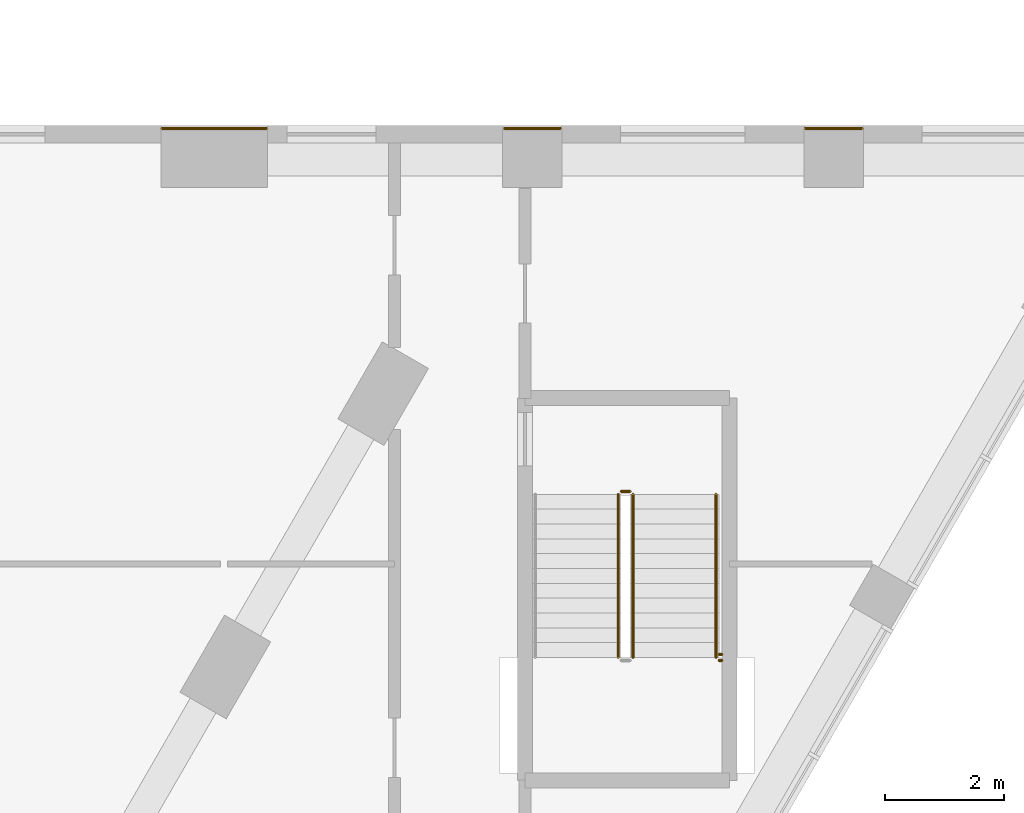
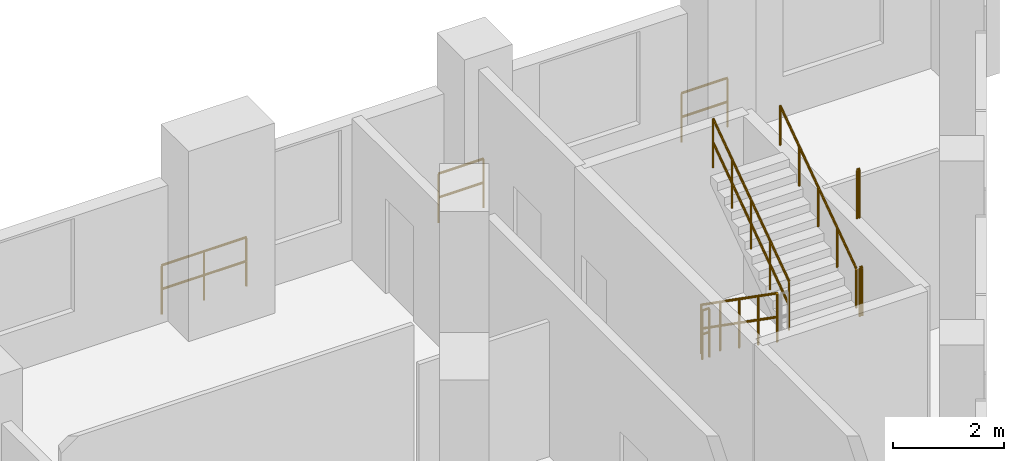
# One storey, part 29 of 33: 9 railings.
"""IFC4 building model written with IfcOpenShell, lengths in metres."""

import ifcopenshell
import ifcopenshell.guid

model = None  # the IFC model being written
_history = None  # IfcOwnerHistory: only IFC2X3 demands one
_inside = {}  # id of a spatial element -> (the spatial element, [elements in it])
_under = {}  # id of a project, library or spatial element -> (it, [spatial elements below it])
_declared = {}  # id of a project -> (the project, [libraries it declares])
_typed = {}  # id of a type object -> (the type object, [elements of that type])
_made_of = {}  # id of a material, layer set ... -> (it, [elements and type objects made of it])


def new_model(schema):
    """Start an empty IFC model of exactly this schema.

    Asked for "IFC4X3", IfcOpenShell would pick the latest addendum, in which some entities
    have other attributes; the version numbers below select the first issue.
    IFC2X3 requires an IfcOwnerHistory on every rooted entity: one is made here for all.
    """
    global model, _history
    if schema == "IFC4X3":
        model = ifcopenshell.file(schema_version=(4, 3, 0, 0))
    else:
        model = ifcopenshell.file(schema=schema)
    _inside.clear()
    _under.clear()
    _declared.clear()
    _typed.clear()
    _made_of.clear()
    _history = None
    if model.schema == "IFC2X3":
        org = make("IfcOrganization", Name="unknown")
        user = make(
            "IfcPersonAndOrganization",
            ThePerson=make("IfcPerson", FamilyName="unknown"),
            TheOrganization=org,
        )
        app = make(
            "IfcApplication",
            ApplicationDeveloper=org,
            Version="unknown",
            ApplicationFullName="unknown",
            ApplicationIdentifier="unknown",
        )
        _history = make(
            "IfcOwnerHistory",
            OwningUser=user,
            OwningApplication=app,
            ChangeAction="ADDED",
            CreationDate=0,
        )
    return model


def make(cls, **values):
    """One entity of the class cls with the attributes given. An attribute that is None is left unset."""
    return model.create_entity(
        cls, **{name: value for name, value in values.items() if value is not None}
    )


def rooted(cls, **values):
    """An entity with a GlobalId (a new one), such as an element, a storey or a relation."""
    return make(cls, GlobalId=ifcopenshell.guid.new(), OwnerHistory=_history, **values)


def si_unit(unit_type, name, prefix=None):
    """IfcSIUnit, for example si_unit("LENGTHUNIT", "METRE", prefix="MILLI")."""
    return make("IfcSIUnit", UnitType=unit_type, Prefix=prefix, Name=name)


def assignment(units):
    """IfcUnitAssignment: the units of a project."""
    return None if units is None else make("IfcUnitAssignment", Units=units)


def point(xyz):
    """IfcCartesianPoint."""
    return None if xyz is None else make("IfcCartesianPoint", Coordinates=xyz)


def direction(xyz):
    """IfcDirection."""
    return None if xyz is None else make("IfcDirection", DirectionRatios=xyz)


def frame(location, z_axis=None, x_axis=None):
    """IfcAxis2Placement3D, a coordinate frame: its origin and axes. An axis left out is left unset."""
    return make(
        "IfcAxis2Placement3D",
        Location=point(location),
        Axis=direction(z_axis),
        RefDirection=direction(x_axis),
    )


def frame_2d(location, x_axis=None):
    """IfcAxis2Placement2D, a coordinate frame in the plane: its origin and x axis."""
    return make(
        "IfcAxis2Placement2D", Location=point(location), RefDirection=direction(x_axis)
    )


def origin():
    """The frame at (0, 0, 0) with its axes left unset."""
    return frame((0.0, 0.0, 0.0))


def origin_2d():
    """The frame at (0, 0) in the plane with its x axis left unset."""
    return frame_2d((0.0, 0.0))


def place(relative_to, where):
    """IfcLocalPlacement: puts the frame where relative to a parent placement (None: the world)."""
    return make(
        "IfcLocalPlacement", PlacementRelTo=relative_to, RelativePlacement=where
    )


def context(
    kind, dimensions, precision=None, world=None, true_north=None, identifier=None
):
    """IfcGeometricRepresentationContext, for example the 3D "Model" context."""
    return make(
        "IfcGeometricRepresentationContext",
        ContextIdentifier=identifier,
        ContextType=kind,
        CoordinateSpaceDimension=dimensions,
        Precision=precision,
        WorldCoordinateSystem=world,
        TrueNorth=true_north,
    )


def subcontext(parent, identifier, kind, view, scale=None):
    """IfcGeometricRepresentationSubContext, for example "Body" below "Model"."""
    return make(
        "IfcGeometricRepresentationSubContext",
        ContextIdentifier=identifier,
        ContextType=kind,
        ParentContext=parent,
        TargetScale=scale,
        TargetView=view,
    )


def project(units=None, contexts=None):
    """IfcProject with its units and contexts."""
    return rooted(
        "IfcProject",
        Name="project",
        RepresentationContexts=contexts,
        UnitsInContext=assignment(units),
    )


def spatial(cls, under=None, at=None, **own):
    """A site, building, storey or space (cls), placed at a placement, below another one or the project."""
    s = rooted(cls, ObjectPlacement=at, **own)
    if under is not None:
        _under.setdefault(under.id(), (under, []))[1].append(s)
    return s


def profile(cls, at=None, kind="AREA", **sizes):
    """A parametric profile (cls). Its sizes go by their IFC names, for example OverallWidth=200.0."""
    return make(cls, ProfileType=kind, Position=at, **sizes)


def circle(**sizes):
    """IfcCircleProfileDef."""
    return profile("IfcCircleProfileDef", **sizes)


def extrude(swept, where, along, depth):
    """IfcExtrudedAreaSolid: the profile swept, set in the frame where, extruded along a direction by depth."""
    return make(
        "IfcExtrudedAreaSolid",
        SweptArea=swept,
        Position=where,
        ExtrudedDirection=direction(along),
        Depth=depth,
    )


def shape(context_of_items, identifier, shape_type, items):
    """IfcShapeRepresentation: the items that make up one representation, for example the "Body"."""
    return make(
        "IfcShapeRepresentation",
        ContextOfItems=context_of_items,
        RepresentationIdentifier=identifier,
        RepresentationType=shape_type,
        Items=items,
    )


def material(Name=None, Category=None):
    """IfcMaterial."""
    return make("IfcMaterial", Name=Name, Category=Category)


def made_of(thing, what):
    """Note that an element or type object is made of a material, layer set ...; save() writes the relation."""
    if what is not None:
        _made_of.setdefault(what.id(), (what, []))[1].append(thing)
    return thing


def type_object(cls, material=None, **own):
    """A type object (cls), such as IfcWallType, which elements share."""
    return made_of(rooted(cls, **own), material)


def element(
    cls,
    number,
    at=None,
    inside=None,
    cuts=None,
    type_object=None,
    material=None,
    context=None,
    identifier="Body",
    shape_type=None,
    held_by="IfcProductDefinitionShape",
    body=None,
    shapes=None,
    **own,
):
    """One element of the class cls, such as IfcWall. Its Tag is "e" and its number.

    at: its placement. inside: the storey or other place that contains it. cuts: it is an
    opening in that element (IfcRelVoidsElement). A single representation is given by context,
    identifier, shape_type and body (its items); several are given by shapes. held_by: the class
    of the entity that holds the representations. save() writes the other relations.
    """
    e = rooted(cls, Tag="e%d" % number, ObjectPlacement=at, **own)
    if body is not None:
        shapes = [shape(context, identifier, shape_type, body)]
    if shapes is not None:
        e.Representation = make(held_by, Representations=shapes)
    if inside is not None:
        _inside.setdefault(inside.id(), (inside, []))[1].append(e)
    if cuts is not None:
        rooted(
            "IfcRelVoidsElement", RelatingBuildingElement=cuts, RelatedOpeningElement=e
        )
    if type_object is not None:
        _typed.setdefault(type_object.id(), (type_object, []))[1].append(e)
    return made_of(e, material)


def aggregate(whole, parts):
    """IfcRelAggregates: a whole, such as a stair, and the parts it consists of."""
    return rooted("IfcRelAggregates", RelatingObject=whole, RelatedObjects=parts)


def save(model, path):
    """Write the relations noted so far, then the file.

    IfcRelAggregates (storeys below a building ...), IfcRelContainedInSpatialStructure (elements
    in a storey), IfcRelDefinesByType, IfcRelAssociatesMaterial and IfcRelDeclares: one each for
    every whole, place, type object, material and project.
    """
    for whole, parts in _under.values():
        aggregate(whole, parts)
    for where, things in _inside.values():
        rooted(
            "IfcRelContainedInSpatialStructure",
            RelatedElements=things,
            RelatingStructure=where,
        )
    for kind, things in _typed.values():
        rooted("IfcRelDefinesByType", RelatedObjects=things, RelatingType=kind)
    for what, things in _made_of.values():
        rooted("IfcRelAssociatesMaterial", RelatedObjects=things, RelatingMaterial=what)
    for by, libraries in _declared.values():
        rooted("IfcRelDeclares", RelatingContext=by, RelatedDefinitions=libraries)
    model.write(path)


model = new_model("IFC4")

# Units and contexts
model_context = context("Model", 3, precision=1e-05, world=origin(), true_north=direction((0.0, 1.0)))
body_context = subcontext(model_context, "Body", "Model", "MODEL_VIEW")
ifc_project = project(units=[si_unit("LENGTHUNIT", "METRE"), si_unit("AREAUNIT", "SQUARE_METRE"), si_unit("VOLUMEUNIT", "CUBIC_METRE"), si_unit("PLANEANGLEUNIT", "RADIAN"), si_unit("MASSUNIT", "GRAM", prefix="KILO")], contexts=[model_context])

# Site, building, storey
site_placement = place(None, origin())
site = spatial("IfcSite", under=ifc_project, at=site_placement, CompositionType="ELEMENT")
building_placement = place(site_placement, origin())
building = spatial("IfcBuilding", under=site, at=building_placement, Name="Nakaniwa Court", CompositionType="ELEMENT")
storey_placement = place(building_placement, frame((0.0, 0.0, 19.800048828125)))
storey = spatial("IfcBuildingStorey", under=building, at=storey_placement, Name="L04", CompositionType="ELEMENT", Elevation=19.800048828125)

# Railings
ifc_material_1 = material(Name="Black powder coated steel guard", Category="steel")
railing_type_1 = type_object("IfcRailingType", Name="Stair guard 1100", PredefinedType="GUARDRAIL", material=ifc_material_1)
railing_1_placement = place(storey_placement, frame((104.27490234375, 66.375, 0.175048828125)))
element("IfcRailing", 1, at=railing_1_placement, inside=storey, type_object=railing_type_1, Name="L04 SS3 stair guard 1", PredefinedType="GUARDRAIL", context=body_context, shape_type="SweptSolid", body=[
    extrude(circle(Radius=0.02392578125, at=origin_2d()), frame((0.0, 0.0, 1.076171875), z_axis=(0.0, -0.819259255306, 0.573423292687), x_axis=(1.0, 0.0, 0.0)), (0.0, 0.0, 1.0), 3.356689453125),
    extrude(circle(Radius=0.02392578125, at=origin_2d()), frame((0.0, 0.0, 0.550048828125), z_axis=(0.0, -0.819259255306, 0.573423292687), x_axis=(1.0, 0.0, 0.0)), (0.0, 0.0, 1.0), 3.356689453125),
    extrude(circle(Radius=0.02099609375, at=origin_2d()), origin(), (0.0, 0.0, 1.0), 1.052001953125),
    extrude(circle(Radius=0.02099609375, at=origin_2d()), frame((0.0, -0.6875, 0.481201171875)), (0.0, 0.0, 1.0), 1.052001953125),
    extrude(circle(Radius=0.02099609375, at=origin_2d()), frame((0.0, -1.375, 0.96240234375)), (0.0, 0.0, 1.0), 1.052001953125),
    extrude(circle(Radius=0.02099609375, at=origin_2d()), frame((0.0, -2.0625, 1.443603515625)), (0.0, 0.0, 1.0), 1.052001953125),
    extrude(circle(Radius=0.02099609375, at=origin_2d()), frame((0.0, -2.75, 1.9248046875)), (0.0, 0.0, 1.0), 1.052001953125),
])
railing_2_placement = place(storey_placement, frame((104.52490234375, 63.625, 2.27490234375)))
element("IfcRailing", 2, at=railing_2_placement, inside=storey, type_object=railing_type_1, Name="L04 SS3 stair guard 3", PredefinedType="GUARDRAIL", context=body_context, shape_type="SweptSolid", body=[
    extrude(circle(Radius=0.02392578125, at=origin_2d()), frame((0.0, 0.0, 1.076171875), z_axis=(0.0, 0.819225086817, 0.573472106672), x_axis=(-1.0, 0.0, 0.0)), (0.0, 0.0, 1.0), 3.35693359375),
    extrude(circle(Radius=0.02392578125, at=origin_2d()), frame((0.0, 0.0, 0.550048828125), z_axis=(0.0, 0.819225086817, 0.573472106672), x_axis=(-1.0, 0.0, 0.0)), (0.0, 0.0, 1.0), 3.35693359375),
    extrude(circle(Radius=0.02099609375, at=origin_2d()), origin(), (0.0, 0.0, 1.0), 1.052001953125),
    extrude(circle(Radius=0.02099609375, at=origin_2d()), frame((0.0, 0.6875, 0.481201171875)), (0.0, 0.0, 1.0), 1.052001953125),
    extrude(circle(Radius=0.02099609375, at=origin_2d()), frame((0.0, 1.375, 0.96240234375)), (0.0, 0.0, 1.0), 1.052001953125),
    extrude(circle(Radius=0.02099609375, at=origin_2d()), frame((0.0, 2.0625, 1.44384765625)), (0.0, 0.0, 1.0), 1.052001953125),
    extrude(circle(Radius=0.02099609375, at=origin_2d()), frame((0.0, 2.75, 1.925048828125)), (0.0, 0.0, 1.0), 1.052001953125),
])
railing_3_placement = place(storey_placement, frame((104.324951171875, 66.425048828125, 0.0)))
element("IfcRailing", 3, at=railing_3_placement, inside=storey, type_object=railing_type_1, Name="L04 SS3 stair guard 4", PredefinedType="GUARDRAIL", context=body_context, shape_type="SweptSolid", body=[
    extrude(circle(Radius=0.02392578125, at=origin_2d()), frame((0.0, 0.0, 1.076171875), z_axis=(1.0, 0.0, 0.0), x_axis=(0.0, 1.0, 0.0)), (0.0, 0.0, 1.0), 0.150146484375),
    extrude(circle(Radius=0.02392578125, at=origin_2d()), frame((0.0, 0.0, 0.550048828125), z_axis=(1.0, 0.0, 0.0), x_axis=(0.0, 1.0, 0.0)), (0.0, 0.0, 1.0), 0.150146484375),
    extrude(circle(Radius=0.02099609375, at=origin_2d()), origin(), (0.0, 0.0, 1.0), 1.052001953125),
    extrude(circle(Radius=0.02099609375, at=origin_2d()), frame((0.150146484375, 0.0, 0.0)), (0.0, 0.0, 1.0), 1.052001953125),
])
for number, where, name in (
    (4, (105.97509765625, 63.574951171875, 2.099853515625), "L04 SS3 landing side guard 1E"),
    (5, (105.97509765625, 63.675048828125, 4.199951171875), "L04 SS3 floor edge guard 1E"),
):
    element("IfcRailing", number, at=place(storey_placement, frame(where)), inside=storey, type_object=railing_type_1, Name=name, PredefinedType="GUARDRAIL", context=body_context, shape_type="SweptSolid", body=[
        extrude(circle(Radius=0.02392578125, at=origin_2d()), frame((0.0, 0.0, 1.076171875), z_axis=(1.0, 0.0, 0.0), x_axis=(0.0, 1.0, 0.0)), (0.0, 0.0, 1.0), 0.0498046875),
        extrude(circle(Radius=0.02392578125, at=origin_2d()), frame((0.0, 0.0, 0.550048828125), z_axis=(1.0, 0.0, 0.0), x_axis=(0.0, 1.0, 0.0)), (0.0, 0.0, 1.0), 0.0498046875),
        extrude(circle(Radius=0.02099609375, at=origin_2d()), origin(), (0.0, 0.0, 1.0), 1.052001953125),
        extrude(circle(Radius=0.02099609375, at=origin_2d()), frame((0.0498046875, 0.0, 0.0)), (0.0, 0.0, 1.0), 1.052001953125),
    ])
railing_4_placement = place(storey_placement, frame((96.573974609375, 72.550048828125, 0.0)))
element("IfcRailing", 6, at=railing_4_placement, inside=storey, type_object=railing_type_1, Name="GUARD GD-L04-067", PredefinedType="GUARDRAIL", context=body_context, shape_type="SweptSolid", body=[
    extrude(circle(Radius=0.02392578125, at=origin_2d()), frame((0.0, 0.0, 1.076171875), z_axis=(1.0, 0.0, 0.0), x_axis=(0.0, 1.0, 0.0)), (0.0, 0.0, 1.0), 1.768310546875),
    extrude(circle(Radius=0.02392578125, at=origin_2d()), frame((0.0, 0.0, 0.550048828125), z_axis=(1.0, 0.0, 0.0), x_axis=(0.0, 1.0, 0.0)), (0.0, 0.0, 1.0), 1.768310546875),
    extrude(circle(Radius=0.02099609375, at=origin_2d()), origin(), (0.0, 0.0, 1.0), 1.052001953125),
    extrude(circle(Radius=0.02099609375, at=origin_2d()), frame((0.88427734375, 0.0, 0.0)), (0.0, 0.0, 1.0), 1.052001953125),
    extrude(circle(Radius=0.02099609375, at=origin_2d()), frame((1.768310546875, 0.0, 0.0)), (0.0, 0.0, 1.0), 1.052001953125),
])
railing_5_placement = place(storey_placement, frame((102.356689453125, 72.550048828125, 0.0)))
element("IfcRailing", 7, at=railing_5_placement, inside=storey, type_object=railing_type_1, Name="GUARD GD-L04-068", PredefinedType="GUARDRAIL", context=body_context, shape_type="SweptSolid", body=[
    extrude(circle(Radius=0.02392578125, at=origin_2d()), frame((0.0, 0.0, 1.076171875), z_axis=(1.0, 0.0, 0.0), x_axis=(0.0, 1.0, 0.0)), (0.0, 0.0, 1.0), 0.939453125),
    extrude(circle(Radius=0.02392578125, at=origin_2d()), frame((0.0, 0.0, 0.550048828125), z_axis=(1.0, 0.0, 0.0), x_axis=(0.0, 1.0, 0.0)), (0.0, 0.0, 1.0), 0.939453125),
    extrude(circle(Radius=0.02099609375, at=origin_2d()), origin(), (0.0, 0.0, 1.0), 1.052001953125),
    extrude(circle(Radius=0.02099609375, at=origin_2d()), frame((0.939453125, 0.0, 0.0)), (0.0, 0.0, 1.0), 1.052001953125),
])
railing_6_placement = place(storey_placement, frame((107.430419921875, 72.550048828125, 0.0)))
element("IfcRailing", 8, at=railing_6_placement, inside=storey, type_object=railing_type_1, Name="GUARD GD-L04-069", PredefinedType="GUARDRAIL", context=body_context, shape_type="SweptSolid", body=[
    extrude(circle(Radius=0.02392578125, at=origin_2d()), frame((0.0, 0.0, 1.076171875), z_axis=(1.0, 0.0, 0.0), x_axis=(0.0, 1.0, 0.0)), (0.0, 0.0, 1.0), 0.95947265625),
    extrude(circle(Radius=0.02392578125, at=origin_2d()), frame((0.0, 0.0, 0.550048828125), z_axis=(1.0, 0.0, 0.0), x_axis=(0.0, 1.0, 0.0)), (0.0, 0.0, 1.0), 0.95947265625),
    extrude(circle(Radius=0.02099609375, at=origin_2d()), origin(), (0.0, 0.0, 1.0), 1.052001953125),
    extrude(circle(Radius=0.02099609375, at=origin_2d()), frame((0.95947265625, 0.0, 0.0)), (0.0, 0.0, 1.0), 1.052001953125),
])
ifc_material_2 = material(Name="Black powder coated steel handrail", Category="steel")
railing_type_2 = type_object("IfcRailingType", Name="Stair handrail 900", PredefinedType="HANDRAIL", material=ifc_material_2)
railing_7_placement = place(storey_placement, frame((105.925048828125, 63.625, 2.27490234375)))
element("IfcRailing", 9, at=railing_7_placement, inside=storey, type_object=railing_type_2, Name="L04 SS3 stair handrail 2", PredefinedType="HANDRAIL", context=body_context, shape_type="SweptSolid", body=[
    extrude(circle(Radius=0.02392578125, at=origin_2d()), frame((0.0, 0.0, 0.8759765625), z_axis=(0.0, 0.819225086817, 0.573472106672), x_axis=(-1.0, 0.0, 0.0)), (0.0, 0.0, 1.0), 3.35693359375),
    extrude(circle(Radius=0.02099609375, at=origin_2d()), origin(), (0.0, 0.0, 1.0), 0.851806640625),
    extrude(circle(Radius=0.02099609375, at=origin_2d()), frame((0.0, 0.6875, 0.481201171875)), (0.0, 0.0, 1.0), 0.851806640625),
    extrude(circle(Radius=0.02099609375, at=origin_2d()), frame((0.0, 1.375, 0.96240234375)), (0.0, 0.0, 1.0), 0.851806640625),
    extrude(circle(Radius=0.02099609375, at=origin_2d()), frame((0.0, 2.0625, 1.44384765625)), (0.0, 0.0, 1.0), 0.851806640625),
    extrude(circle(Radius=0.02099609375, at=origin_2d()), frame((0.0, 2.75, 1.925048828125)), (0.0, 0.0, 1.0), 0.851806640625),
])

save(model, "model.ifc")
